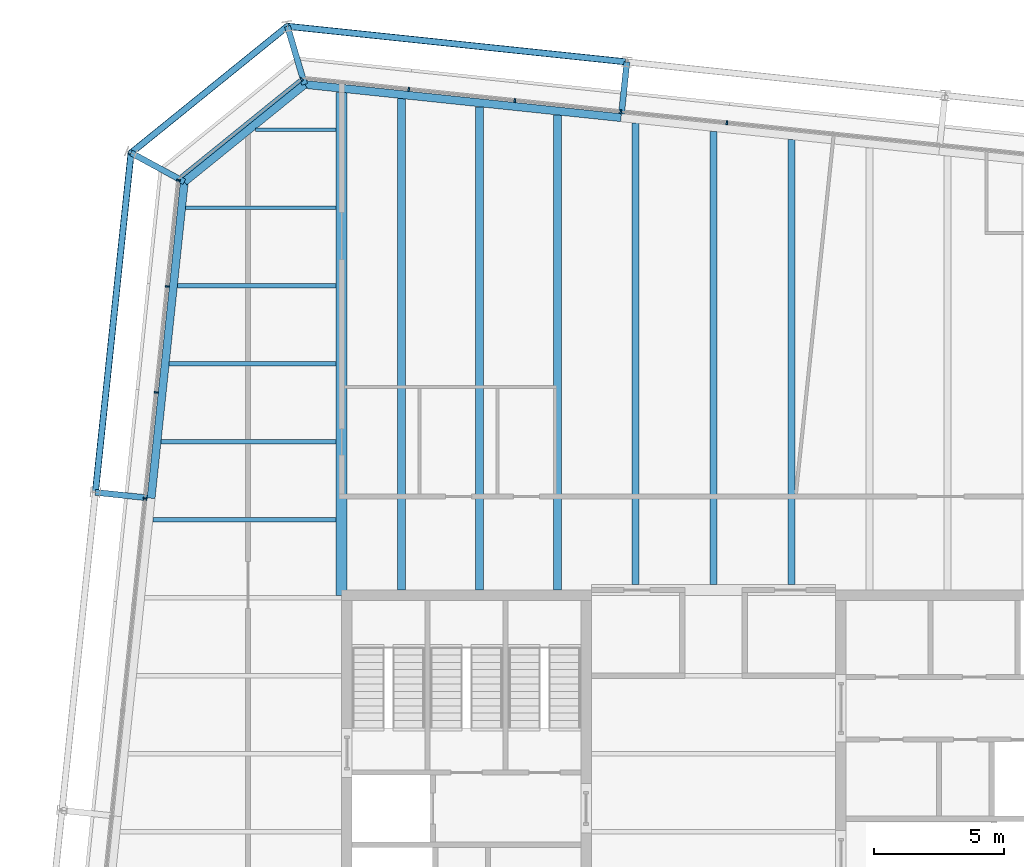
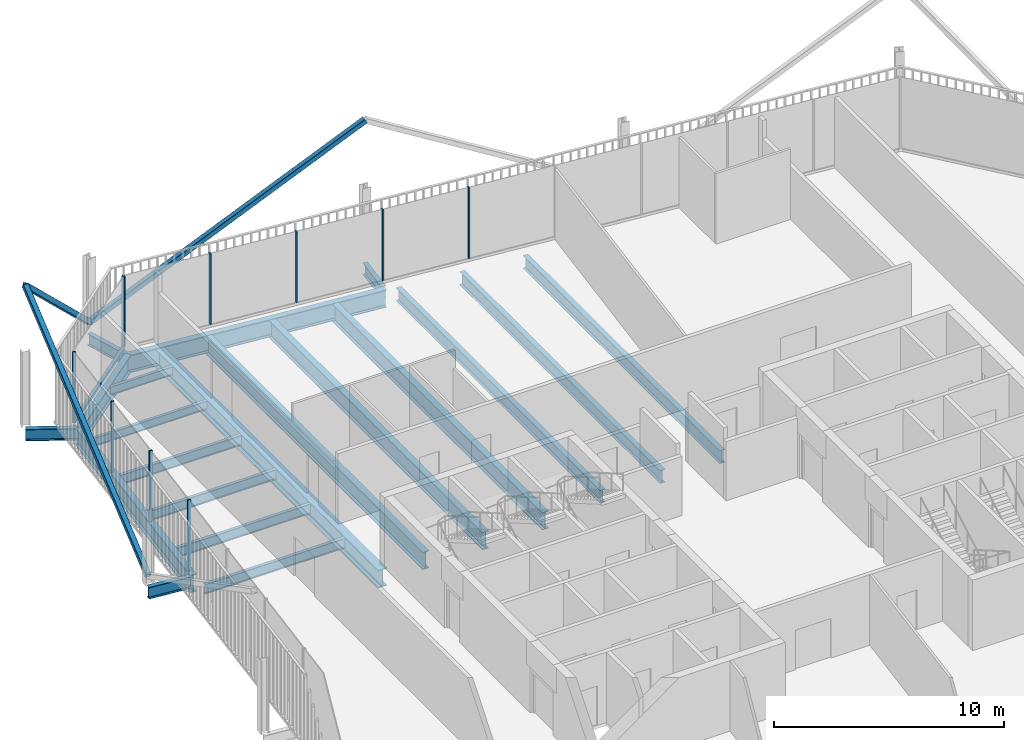
# One storey, part 12 of 21: 20 beams, 13 members, 3 elements without a shape of their own.
"""IFC4 building model written with IfcOpenShell, lengths in metres."""

from ifc_helpers import new_model, si_unit, direction, frame, origin, origin_2d, place, context, subcontext, project, spatial, rectangle, hollow_rectangle, i_section, extrude, material, layer, layer_set, material_profile, profile_set, type_object, element, aggregate, save


model = new_model("IFC4")

# Units and contexts
model_context = context("Model", 3, precision=1e-05, world=origin(), true_north=direction((0.0, 1.0)))
body_context = subcontext(model_context, "Body", "Model", "MODEL_VIEW")
ifc_project = project(units=[si_unit("LENGTHUNIT", "METRE"), si_unit("AREAUNIT", "SQUARE_METRE"), si_unit("VOLUMEUNIT", "CUBIC_METRE"), si_unit("PLANEANGLEUNIT", "RADIAN"), si_unit("MASSUNIT", "GRAM", prefix="KILO")], contexts=[model_context])

# Site, building, storey
site_placement = place(None, origin())
site = spatial("IfcSite", under=ifc_project, at=site_placement, CompositionType="ELEMENT")
building_placement = place(site_placement, origin())
building = spatial("IfcBuilding", under=site, at=building_placement, Name="Millrace Tower", CompositionType="ELEMENT")
storey_placement = place(building_placement, frame((0.0, 0.0, 291.60009765625)))
storey = spatial("IfcBuildingStorey", under=building, at=storey_placement, Name="L67", CompositionType="ELEMENT", Elevation=291.60009765625)

# Curtain wall, members
ifc_material_1 = material(Name="Aluminium and glass", Category="aluminium")
ifc_layer = layer(ifc_material_1, 0.14990234375)
ifc_layer_set = layer_set([ifc_layer], Name="Aluminium and glass")
curtain_wall_type = type_object("IfcCurtainWallType", Name="CW-1 office vision curtain wall", PredefinedType="NOTDEFINED", material=ifc_layer_set)
placement = place(storey_placement, origin())
curtain_wall_1 = element("IfcCurtainWall", 1, at=placement, inside=storey, type_object=curtain_wall_type, Name="Curtain wall E-F06 L67", PredefinedType="NOTDEFINED")
ifc_material_2 = material(Name="Aluminium", Category="aluminium")
ifc_material_profile_1 = material_profile(ifc_material_2, rectangle(XDim=0.06494140625, YDim=0.14990234375, at=origin_2d()))
ifc_profile_set_1 = profile_set([ifc_material_profile_1], Name="Aluminium")
member_type_1 = type_object("IfcMemberType", Name="CW-1 office vision curtain wall mullion", PredefinedType="MULLION", material=ifc_profile_set_1)
member_1_placement = place(storey_placement, frame((0.514892578125, 27.267578125, 0.139892578125), z_axis=(0.0, 0.0, 1.0), x_axis=(-0.994521896217, 0.104528455196, 0.0)))
member_1 = element("IfcMember", 2, at=member_1_placement, type_object=member_type_1, Name="CW1 mullion E-F06.6", PredefinedType="MULLION", context=body_context, shape_type="SweptSolid", body=[
    extrude(rectangle(XDim=0.06494140625, YDim=0.14990234375, at=origin_2d()), origin(), (0.0, 0.0, 1.0), 3.760009765625),
])
member_2_placement = place(storey_placement, frame((-3.562744140625, 27.6962890625, 0.139892578125), z_axis=(0.0, 0.0, 1.0), x_axis=(-0.994521896217, 0.104528455196, 0.0)))
member_2 = element("IfcMember", 3, at=member_2_placement, type_object=member_type_1, Name="CW1 mullion E-F06.7", PredefinedType="MULLION", context=body_context, shape_type="SweptSolid", body=[
    extrude(rectangle(XDim=0.06494140625, YDim=0.14990234375, at=origin_2d()), origin(), (0.0, 0.0, 1.0), 3.760009765625),
])
member_3_placement = place(storey_placement, frame((-7.640380859375, 28.124755859375, 0.139892578125), z_axis=(0.0, 0.0, 1.0), x_axis=(-0.994521896217, 0.104528455196, 0.0)))
member_3 = element("IfcMember", 4, at=member_3_placement, type_object=member_type_1, Name="CW1 mullion E-F06.8", PredefinedType="MULLION", context=body_context, shape_type="SweptSolid", body=[
    extrude(rectangle(XDim=0.06494140625, YDim=0.14990234375, at=origin_2d()), origin(), (0.0, 0.0, 1.0), 3.760009765625),
])
member_4_placement = place(storey_placement, frame((-11.7177734375, 28.55322265625, 0.139892578125), z_axis=(0.0, 0.0, 1.0), x_axis=(-0.994521896217, 0.104528455196, 0.0)))
member_4 = element("IfcMember", 5, at=member_4_placement, type_object=member_type_1, Name="CW1 mullion E-F06.9", PredefinedType="MULLION", context=body_context, shape_type="SweptSolid", body=[
    extrude(rectangle(XDim=0.06494140625, YDim=0.14990234375, at=origin_2d()), origin(), (0.0, 0.0, 1.0), 3.760009765625),
])
aggregate(curtain_wall_1, [member_1, member_2, member_3, member_4])

# Curtain wall, member
curtain_wall_2 = element("IfcCurtainWall", 6, at=placement, inside=storey, type_object=curtain_wall_type, Name="Curtain wall E-F07 L67", PredefinedType="NOTDEFINED")
member_5_placement = place(storey_placement, frame((-15.84326171875, 28.941650390625, 0.139892578125), z_axis=(0.0, 0.0, 1.0), x_axis=(-0.777146052237, -0.629320278945, 0.0)))
member_5 = element("IfcMember", 7, at=member_5_placement, type_object=member_type_1, Name="CW1 mullion E-F07.1", PredefinedType="MULLION", context=body_context, shape_type="SweptSolid", body=[
    extrude(rectangle(XDim=0.06494140625, YDim=0.14990234375, at=origin_2d()), origin(), (0.0, 0.0, 1.0), 3.760009765625),
])

# Curtain wall, members
curtain_wall_3 = element("IfcCurtainWall", 8, at=placement, inside=storey, type_object=curtain_wall_type, Name="Curtain wall E-F08 L67", PredefinedType="NOTDEFINED")
member_6_placement = place(storey_placement, frame((-20.57470703125, 25.052490234375, 0.139892578125), z_axis=(0.0, 0.0, 1.0), x_axis=(-0.104528455196, -0.994521896217, 0.0)))
member_6 = element("IfcMember", 9, at=member_6_placement, type_object=member_type_1, Name="CW1 mullion E-F08.1", PredefinedType="MULLION", context=body_context, shape_type="SweptSolid", body=[
    extrude(rectangle(XDim=0.06494140625, YDim=0.14990234375, at=origin_2d()), origin(), (0.0, 0.0, 1.0), 3.760009765625),
])
member_7_placement = place(storey_placement, frame((-21.00341796875, 20.974853515625, 0.139892578125), z_axis=(0.0, 0.0, 1.0), x_axis=(-0.104528455196, -0.994521896217, 0.0)))
member_7 = element("IfcMember", 10, at=member_7_placement, type_object=member_type_1, Name="CW1 mullion E-F08.2", PredefinedType="MULLION", context=body_context, shape_type="SweptSolid", body=[
    extrude(rectangle(XDim=0.06494140625, YDim=0.14990234375, at=origin_2d()), origin(), (0.0, 0.0, 1.0), 3.760009765625),
])
member_8_placement = place(storey_placement, frame((-21.431884765625, 16.8974609375, 0.139892578125), z_axis=(0.0, 0.0, 1.0), x_axis=(-0.104528455196, -0.994521896217, 0.0)))
member_8 = element("IfcMember", 11, at=member_8_placement, type_object=member_type_1, Name="CW1 mullion E-F08.3", PredefinedType="MULLION", context=body_context, shape_type="SweptSolid", body=[
    extrude(rectangle(XDim=0.06494140625, YDim=0.14990234375, at=origin_2d()), origin(), (0.0, 0.0, 1.0), 3.760009765625),
])
member_9_placement = place(storey_placement, frame((-21.860595703125, 12.81982421875, 0.139892578125), z_axis=(0.0, 0.0, 1.0), x_axis=(-0.104528455196, -0.994521896217, 0.0)))
member_9 = element("IfcMember", 12, at=member_9_placement, type_object=member_type_1, Name="CW1 mullion E-F08.4", PredefinedType="MULLION", context=body_context, shape_type="SweptSolid", body=[
    extrude(rectangle(XDim=0.06494140625, YDim=0.14990234375, at=origin_2d()), origin(), (0.0, 0.0, 1.0), 3.760009765625),
])
aggregate(curtain_wall_3, [member_6, member_7, member_8, member_9])

# Member
ifc_material_3 = material(Name="Aluminium", Category="aluminium")
ifc_material_profile_2 = material_profile(ifc_material_3, rectangle(XDim=0.14990234375, YDim=0.139892578125, at=origin_2d()))
ifc_profile_set_2 = profile_set([ifc_material_profile_2], Name="Aluminium")
member_type_2 = type_object("IfcMemberType", Name="CW-1 office vision curtain wall transom", PredefinedType="USERDEFINED", material=ifc_profile_set_2)
member_10_placement = place(storey_placement, frame((-15.895751953125, 28.899169921875, 0.06982421875), z_axis=(-0.777165591695, -0.629296148951, 0.0), x_axis=(0.629296148951, -0.777165591695, 0.0)))
member_10 = element("IfcMember", 13, at=member_10_placement, type_object=member_type_2, Name="CW1 transom E-F07.1", ObjectType="TRANSOM", PredefinedType="USERDEFINED", context=body_context, shape_type="SweptSolid", body=[
    extrude(rectangle(XDim=0.14990234375, YDim=0.139892578125, at=origin_2d()), origin(), (0.0, 0.0, 1.0), 5.881103515625),
])

aggregate(curtain_wall_2, [member_5, member_10])

# Members
ifc_material_4 = material(Name="Steel ASTM A500 Grade C", Category="steel")
ifc_material_profile_3 = material_profile(ifc_material_4, hollow_rectangle(XDim=0.25390625, YDim=0.25390625, WallThickness=0.0126953125, InnerFilletRadius=0.00634765625, OuterFilletRadius=0.01904296875, at=origin_2d()))
ifc_profile_set_3 = profile_set([ifc_material_profile_3], Name="Steel ASTM A500 Grade C")
member_type_3 = type_object("IfcMemberType", Name="Exoskeleton brace HSS10x10x1/2", PredefinedType="BRACE", material=ifc_profile_set_3)
member_11_placement = place(storey_placement, frame((-16.3857421875, 30.9794921875, 0.39990234375), z_axis=(0.877568210125, -0.092238278747, 0.470495628578), x_axis=(0.104530865473, 0.994521642883, 0.0)))
element("IfcMember", 14, at=member_11_placement, inside=storey, type_object=member_type_3, Name="BRC-E-L67-12", PredefinedType="BRACE", context=body_context, shape_type="SweptSolid", body=[
    extrude(hollow_rectangle(XDim=0.25390625, YDim=0.25390625, WallThickness=0.0126953125, InnerFilletRadius=0.00634765625, OuterFilletRadius=0.01904296875, at=origin_2d()), origin(), (0.0, 0.0, 1.0), 14.8779296875),
])
member_12_placement = place(storey_placement, frame((-16.3857421875, 30.9794921875, 0.39990234375), z_axis=(-0.57631352586, -0.466694392708, 0.670864415308), x_axis=(0.62932438279, -0.777142728993, 0.0)))
element("IfcMember", 15, at=member_12_placement, inside=storey, type_object=member_type_3, Name="BRC-E-L67-13", PredefinedType="BRACE", context=body_context, shape_type="SweptSolid", body=[
    extrude(hollow_rectangle(XDim=0.25390625, YDim=0.25390625, WallThickness=0.0126953125, InnerFilletRadius=0.00634765625, OuterFilletRadius=0.01904296875, at=origin_2d()), origin(), (0.0, 0.0, 1.0), 10.434326171875),
])
member_13_placement = place(storey_placement, frame((-23.771484375, 13.053466796875, 0.39990234375), z_axis=(0.092238278747, 0.877568210125, 0.470495628578), x_axis=(-0.994521642883, 0.104530865473, 0.0)))
element("IfcMember", 16, at=member_13_placement, inside=storey, type_object=member_type_3, Name="BRC-E-L67-14", PredefinedType="BRACE", context=body_context, shape_type="SweptSolid", body=[
    extrude(hollow_rectangle(XDim=0.25390625, YDim=0.25390625, WallThickness=0.0126953125, InnerFilletRadius=0.00634765625, OuterFilletRadius=0.01904296875, at=origin_2d()), origin(), (0.0, 0.0, 1.0), 14.8779296875),
])

# Beams
ifc_material_5 = material(Name="Steel ASTM A992 Grade 50", Category="steel")
ifc_material_profile_4 = material_profile(ifc_material_5, i_section(OverallWidth=0.15234375, OverallDepth=0.449462890625, WebThickness=0.007568359375, FlangeThickness=0.0107421875, FilletRadius=0.01025390625, at=origin_2d()))
ifc_profile_set_4 = profile_set([ifc_material_profile_4], Name="Steel ASTM A992 Grade 50")
beam_type_1 = type_object("IfcBeamType", Name="Floor beam W18x35", PredefinedType="JOIST", material=ifc_profile_set_4)
beam_1_placement = place(storey_placement, frame((-20.301025390625, 24.0, -0.384765625), z_axis=(1.0, 0.0, 0.0), x_axis=(0.0, 1.0, 0.0)))
element("IfcBeam", 17, at=beam_1_placement, inside=storey, type_object=beam_type_1, Name="BM-E-L67-S1-S033", PredefinedType="JOIST", context=body_context, shape_type="SweptSolid", body=[
    extrude(i_section(OverallWidth=0.15234375, OverallDepth=0.449462890625, WebThickness=0.007568359375, FlangeThickness=0.0107421875, FilletRadius=0.01025390625, at=origin_2d()), origin(), (0.0, 0.0, 1.0), 5.79150390625),
])
beam_2_placement = place(storey_placement, frame((-17.609619140625, 27.0, -0.384765625), z_axis=(1.0, 0.0, 0.0), x_axis=(0.0, 1.0, 0.0)))
element("IfcBeam", 18, at=beam_2_placement, inside=storey, type_object=beam_type_1, Name="BM-E-L67-S1-S035", PredefinedType="JOIST", context=body_context, shape_type="SweptSolid", body=[
    extrude(i_section(OverallWidth=0.15234375, OverallDepth=0.449462890625, WebThickness=0.007568359375, FlangeThickness=0.0107421875, FilletRadius=0.01025390625, at=origin_2d()), origin(), (0.0, 0.0, 1.0), 3.10009765625),
])
ifc_material_6 = material(Name="Steel ASTM A992 Grade 50", Category="steel")
ifc_material_profile_5 = material_profile(ifc_material_6, i_section(OverallWidth=0.1650390625, OverallDepth=0.52587890625, WebThickness=0.0087890625, FlangeThickness=0.011474609375, FilletRadius=0.0126953125, at=origin_2d()))
ifc_profile_set_5 = profile_set([ifc_material_profile_5], Name="Steel ASTM A992 Grade 50")
beam_type_2 = type_object("IfcBeamType", Name="Floor beam W21x44", PredefinedType="JOIST", material=ifc_profile_set_5)
beam_3_placement = place(storey_placement, frame((-21.562255859375, 12.0, -0.423095703125), z_axis=(1.0, 0.0, 0.0), x_axis=(0.0, 1.0, 0.0)))
element("IfcBeam", 19, at=beam_3_placement, inside=storey, type_object=beam_type_2, Name="BM-E-L67-S1-S025", PredefinedType="JOIST", context=body_context, shape_type="SweptSolid", body=[
    extrude(i_section(OverallWidth=0.1650390625, OverallDepth=0.52587890625, WebThickness=0.0087890625, FlangeThickness=0.011474609375, FilletRadius=0.0126953125, at=origin_2d()), origin(), (0.0, 0.0, 1.0), 7.052734375),
])
beam_4_placement = place(storey_placement, frame((-21.246826171875, 15.0, -0.423095703125), z_axis=(1.0, 0.0, 0.0), x_axis=(0.0, 1.0, 0.0)))
element("IfcBeam", 20, at=beam_4_placement, inside=storey, type_object=beam_type_2, Name="BM-E-L67-S1-S027", PredefinedType="JOIST", context=body_context, shape_type="SweptSolid", body=[
    extrude(i_section(OverallWidth=0.1650390625, OverallDepth=0.52587890625, WebThickness=0.0087890625, FlangeThickness=0.011474609375, FilletRadius=0.0126953125, at=origin_2d()), origin(), (0.0, 0.0, 1.0), 6.7373046875),
])
beam_5_placement = place(storey_placement, frame((-20.931640625, 18.0, -0.423095703125), z_axis=(1.0, 0.0, 0.0), x_axis=(0.0, 1.0, 0.0)))
element("IfcBeam", 21, at=beam_5_placement, inside=storey, type_object=beam_type_2, Name="BM-E-L67-S1-S029", PredefinedType="JOIST", context=body_context, shape_type="SweptSolid", body=[
    extrude(i_section(OverallWidth=0.1650390625, OverallDepth=0.52587890625, WebThickness=0.0087890625, FlangeThickness=0.011474609375, FilletRadius=0.0126953125, at=origin_2d()), origin(), (0.0, 0.0, 1.0), 6.422119140625),
])
beam_6_placement = place(storey_placement, frame((-20.6162109375, 21.0, -0.423095703125), z_axis=(1.0, 0.0, 0.0), x_axis=(0.0, 1.0, 0.0)))
element("IfcBeam", 22, at=beam_6_placement, inside=storey, type_object=beam_type_2, Name="BM-E-L67-S1-S031", PredefinedType="JOIST", context=body_context, shape_type="SweptSolid", body=[
    extrude(i_section(OverallWidth=0.1650390625, OverallDepth=0.52587890625, WebThickness=0.0087890625, FlangeThickness=0.011474609375, FilletRadius=0.0126953125, at=origin_2d()), origin(), (0.0, 0.0, 1.0), 6.106689453125),
])
ifc_material_7 = material(Name="Steel ASTM A992 Grade 50", Category="steel")
ifc_material_profile_6 = material_profile(ifc_material_7, i_section(OverallWidth=0.256591796875, OverallDepth=0.693359375, WebThickness=0.014404296875, FlangeThickness=0.023681640625, FilletRadius=0.01513671875, at=origin_2d()))
ifc_profile_set_6 = profile_set([ifc_material_profile_6], Name="Steel ASTM A992 Grade 50")
beam_type_3 = type_object("IfcBeamType", Name="Floor beam W27x114", PredefinedType="JOIST", material=ifc_profile_set_6)
beam_7_placement = place(storey_placement, frame((-3.0, 9.509521484375, -0.5068359375), z_axis=(0.0, 1.0, 0.0), x_axis=(-1.0, 0.0, 0.0)))
element("IfcBeam", 23, at=beam_7_placement, inside=storey, type_object=beam_type_3, Name="BM-E-L67-S1-S042", PredefinedType="JOIST", context=body_context, shape_type="SweptSolid", body=[
    extrude(i_section(OverallWidth=0.256591796875, OverallDepth=0.693359375, WebThickness=0.014404296875, FlangeThickness=0.023681640625, FilletRadius=0.01513671875, at=origin_2d()), origin(), (0.0, 0.0, 1.0), 17.7431640625),
])
beam_8_placement = place(storey_placement, frame((0.0, 9.509521484375, -0.5068359375), z_axis=(0.0, 1.0, 0.0), x_axis=(-1.0, 0.0, 0.0)))
element("IfcBeam", 24, at=beam_8_placement, inside=storey, type_object=beam_type_3, Name="BM-E-L67-S1-S044", PredefinedType="JOIST", context=body_context, shape_type="SweptSolid", body=[
    extrude(i_section(OverallWidth=0.256591796875, OverallDepth=0.693359375, WebThickness=0.014404296875, FlangeThickness=0.023681640625, FilletRadius=0.01513671875, at=origin_2d()), origin(), (0.0, 0.0, 1.0), 17.427734375),
])
beam_9_placement = place(storey_placement, frame((3.0, 9.509521484375, -0.5068359375), z_axis=(0.0, 1.0, 0.0), x_axis=(-1.0, 0.0, 0.0)))
element("IfcBeam", 25, at=beam_9_placement, inside=storey, type_object=beam_type_3, Name="BM-E-L67-S1-S046", PredefinedType="JOIST", context=body_context, shape_type="SweptSolid", body=[
    extrude(i_section(OverallWidth=0.256591796875, OverallDepth=0.693359375, WebThickness=0.014404296875, FlangeThickness=0.023681640625, FilletRadius=0.01513671875, at=origin_2d()), origin(), (0.0, 0.0, 1.0), 17.112548828125),
])
ifc_material_8 = material(Name="Steel ASTM A992 Grade 50", Category="steel")
ifc_material_profile_7 = material_profile(ifc_material_8, i_section(OverallWidth=0.307373046875, OverallDepth=0.927001953125, WebThickness=0.01953125, FlangeThickness=0.031982421875, FilletRadius=0.01904296875, at=origin_2d()))
ifc_profile_set_7 = profile_set([ifc_material_profile_7], Name="Steel ASTM A992 Grade 50")
beam_type_4 = type_object("IfcBeamType", Name="Floor beam W36x194", PredefinedType="JOIST", material=ifc_profile_set_7)
beam_10_placement = place(storey_placement, frame((-12.0, 9.300048828125, -0.62353515625), z_axis=(0.0, 1.0, 0.0), x_axis=(-1.0, 0.0, 0.0)))
element("IfcBeam", 26, at=beam_10_placement, inside=storey, type_object=beam_type_4, Name="BM-E-L67-S1-S036", PredefinedType="JOIST", context=body_context, shape_type="SweptSolid", body=[
    extrude(i_section(OverallWidth=0.307373046875, OverallDepth=0.927001953125, WebThickness=0.01953125, FlangeThickness=0.031982421875, FilletRadius=0.01904296875, at=origin_2d()), origin(), (0.0, 0.0, 1.0), 18.8984375),
])
beam_11_placement = place(storey_placement, frame((-9.0, 9.300048828125, -0.62353515625), z_axis=(0.0, 1.0, 0.0), x_axis=(-1.0, 0.0, 0.0)))
element("IfcBeam", 27, at=beam_11_placement, inside=storey, type_object=beam_type_4, Name="BM-E-L67-S1-S038", PredefinedType="JOIST", context=body_context, shape_type="SweptSolid", body=[
    extrude(i_section(OverallWidth=0.307373046875, OverallDepth=0.927001953125, WebThickness=0.01953125, FlangeThickness=0.031982421875, FilletRadius=0.01904296875, at=origin_2d()), origin(), (0.0, 0.0, 1.0), 18.583251953125),
])
beam_12_placement = place(storey_placement, frame((-6.0, 9.300048828125, -0.62353515625), z_axis=(0.0, 1.0, 0.0), x_axis=(-1.0, 0.0, 0.0)))
element("IfcBeam", 28, at=beam_12_placement, inside=storey, type_object=beam_type_4, Name="BM-E-L67-S1-S040", PredefinedType="JOIST", context=body_context, shape_type="SweptSolid", body=[
    extrude(i_section(OverallWidth=0.307373046875, OverallDepth=0.927001953125, WebThickness=0.01953125, FlangeThickness=0.031982421875, FilletRadius=0.01904296875, at=origin_2d()), origin(), (0.0, 0.0, 1.0), 18.267822265625),
])
ifc_material_9 = material(Name="Steel ASTM A992 Grade 50", Category="steel")
ifc_material_profile_8 = material_profile(ifc_material_9, i_section(OverallWidth=0.424072265625, OverallDepth=0.947509765625, WebThickness=0.02392578125, FlangeThickness=0.042724609375, FilletRadius=0.024169921875, at=origin_2d()))
ifc_profile_set_8 = profile_set([ifc_material_profile_8], Name="Steel ASTM A992 Grade 50")
beam_type_5 = type_object("IfcBeamType", Name="Girder medium span W36x302", PredefinedType="BEAM", material=ifc_profile_set_8)
beam_13_placement = place(storey_placement, frame((-14.300048828125, 9.083984375, -0.6337890625), z_axis=(0.0, 1.0, 0.0), x_axis=(-1.0, 0.0, 0.0)))
element("IfcBeam", 29, at=beam_13_placement, inside=storey, type_object=beam_type_5, Name="BM-E-L67-S1-G054", PredefinedType="BEAM", context=body_context, shape_type="SweptSolid", body=[
    extrude(i_section(OverallWidth=0.424072265625, OverallDepth=0.947509765625, WebThickness=0.02392578125, FlangeThickness=0.042724609375, FilletRadius=0.024169921875, at=origin_2d()), origin(), (0.0, 0.0, 1.0), 19.356201171875),
])
ifc_material_10 = material(Name="Steel ASTM A992 Grade 50", Category="steel")
ifc_material_profile_9 = material_profile(ifc_material_10, i_section(OverallWidth=0.23046875, OverallDepth=0.6171875, WebThickness=0.01318359375, FlangeThickness=0.022216796875, FilletRadius=0.012939453125, at=origin_2d()))
ifc_profile_set_9 = profile_set([ifc_material_profile_9], Name="Steel ASTM A992 Grade 50")
beam_type_6 = type_object("IfcBeamType", Name="Link beam W24x94", PredefinedType="BEAM", material=ifc_profile_set_9)
beam_14_placement = place(storey_placement, frame((-21.782470703125, 12.84423828125, -0.46875), z_axis=(-0.994512808172, 0.104614886044, 0.0), x_axis=(-0.104614886044, -0.994512808172, 0.0)))
element("IfcBeam", 30, at=beam_14_placement, inside=storey, type_object=beam_type_6, Name="LNK-E-L67-S1-03", PredefinedType="BEAM", context=body_context, shape_type="SweptSolid", body=[
    extrude(i_section(OverallWidth=0.23046875, OverallDepth=0.6171875, WebThickness=0.01318359375, FlangeThickness=0.022216796875, FilletRadius=0.012939453125, at=origin_2d()), origin(), (0.0, 0.0, 1.0), 2.0),
])
for number, where, z_axis, x_axis, name in (
    (31, (-20.3505859375, 24.99755859375, -0.46875), (-0.87881453358, 0.477163510307, 0.0), (-0.477163510307, -0.87881453358, 0.0), "LNK-E-L67-S1-04"),
    (32, (-15.7236328125, 28.744384765625, -0.46875), (-0.284031275065, 0.958815015936, 0.0), (-0.958815015936, -0.284031275065, 0.0), "LNK-E-L67-S1-05"),
):
    element("IfcBeam", number, at=place(storey_placement, frame(where, z_axis=z_axis, x_axis=x_axis)), inside=storey, type_object=beam_type_6, Name=name, PredefinedType="BEAM", context=body_context, shape_type="SweptSolid", body=[
        extrude(i_section(OverallWidth=0.23046875, OverallDepth=0.6171875, WebThickness=0.01318359375, FlangeThickness=0.022216796875, FilletRadius=0.012939453125, at=origin_2d()), origin(), (0.0, 0.0, 1.0), 2.3310546875),
    ])
beam_15_placement = place(storey_placement, frame((-3.538330078125, 27.6181640625, -0.46875), z_axis=(0.104494148666, 0.99452550138, 0.0), x_axis=(-0.99452550138, 0.104494148666, 0.0)))
element("IfcBeam", 33, at=beam_15_placement, inside=storey, type_object=beam_type_6, Name="LNK-E-L67-S1-06", PredefinedType="BEAM", context=body_context, shape_type="SweptSolid", body=[
    extrude(i_section(OverallWidth=0.23046875, OverallDepth=0.6171875, WebThickness=0.01318359375, FlangeThickness=0.022216796875, FilletRadius=0.012939453125, at=origin_2d()), origin(), (0.0, 0.0, 1.0), 2.0),
])
ifc_material_11 = material(Name="Steel ASTM A992 Grade 50", Category="steel")
ifc_material_profile_10 = material_profile(ifc_material_11, i_section(OverallWidth=0.307373046875, OverallDepth=0.927001953125, WebThickness=0.01953125, FlangeThickness=0.031982421875, FilletRadius=0.01904296875, at=origin_2d()))
ifc_profile_set_10 = profile_set([ifc_material_profile_10], Name="Steel ASTM A992 Grade 50")
beam_type_7 = type_object("IfcBeamType", Name="Ring beam medium span W36x194", PredefinedType="SPANDREL", material=ifc_profile_set_10)
for number, where, z_axis, x_axis, name in (
    (34, (-21.629638671875, 12.828369140625, -0.62353515625), (0.104530030035, 0.994521730693, 0.0), (-0.994521730693, 0.104530030035, 0.0), "RNG-E-L67-S1-03"),
    (35, (-15.7236328125, 28.744384765625, -0.62353515625), (0.994521730693, -0.104530030035, 0.0), (0.104530030035, 0.994521730693, 0.0), "RNG-E-L67-S1-05"),
):
    element("IfcBeam", number, at=place(storey_placement, frame(where, z_axis=z_axis, x_axis=x_axis)), inside=storey, type_object=beam_type_7, Name=name, PredefinedType="SPANDREL", context=body_context, shape_type="SweptSolid", body=[
        extrude(i_section(OverallWidth=0.307373046875, OverallDepth=0.927001953125, WebThickness=0.01953125, FlangeThickness=0.031982421875, FilletRadius=0.01904296875, at=origin_2d()), origin(), (0.0, 0.0, 1.0), 12.236328125),
    ])
ifc_material_12 = material(Name="Steel ASTM A992 Grade 50", Category="steel")
ifc_material_profile_11 = material_profile(ifc_material_12, i_section(OverallWidth=0.307373046875, OverallDepth=0.927001953125, WebThickness=0.01953125, FlangeThickness=0.031982421875, FilletRadius=0.01904296875, at=origin_2d()))
ifc_profile_set_11 = profile_set([ifc_material_profile_11], Name="Steel ASTM A992 Grade 50")
beam_type_8 = type_object("IfcBeamType", Name="Ring beam short span W36x194", PredefinedType="SPANDREL", material=ifc_profile_set_11)
beam_16_placement = place(storey_placement, frame((-20.3505859375, 24.99755859375, -0.62353515625), z_axis=(0.777146502883, 0.629319722443, 0.0), x_axis=(-0.629319722443, 0.777146502883, 0.0)))
element("IfcBeam", 36, at=beam_16_placement, inside=storey, type_object=beam_type_8, Name="RNG-E-L67-S1-04", PredefinedType="SPANDREL", context=body_context, shape_type="SweptSolid", body=[
    extrude(i_section(OverallWidth=0.307373046875, OverallDepth=0.927001953125, WebThickness=0.01953125, FlangeThickness=0.031982421875, FilletRadius=0.01904296875, at=origin_2d()), origin(), (0.0, 0.0, 1.0), 5.953857421875),
])

save(model, "model.ifc")
